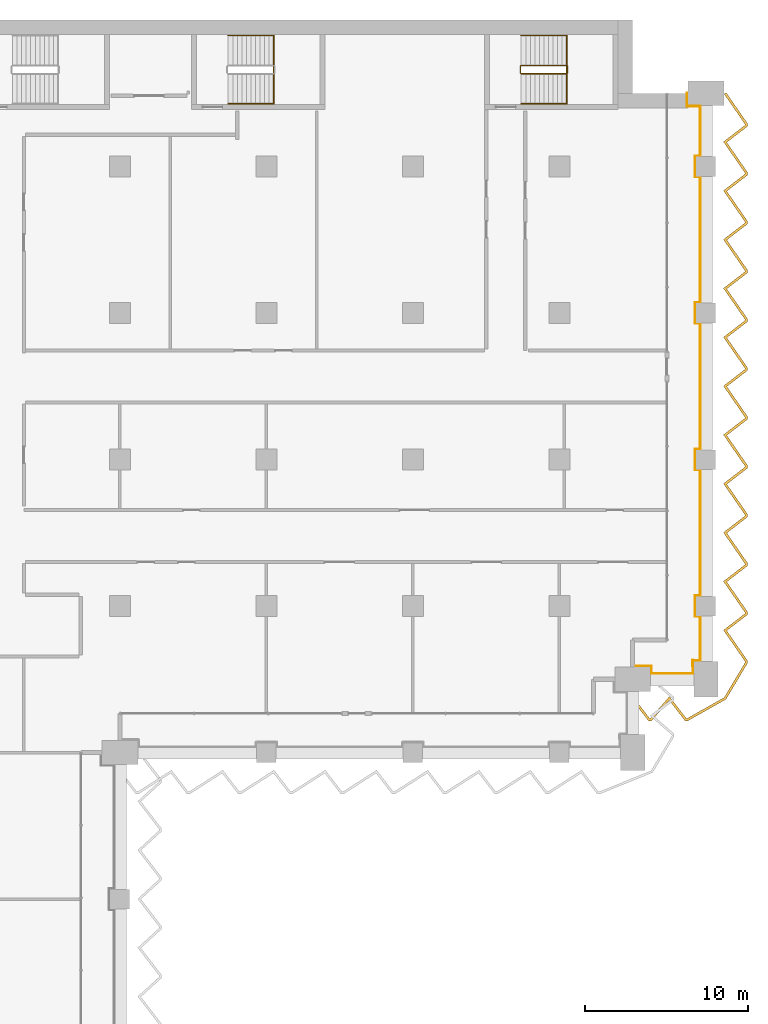
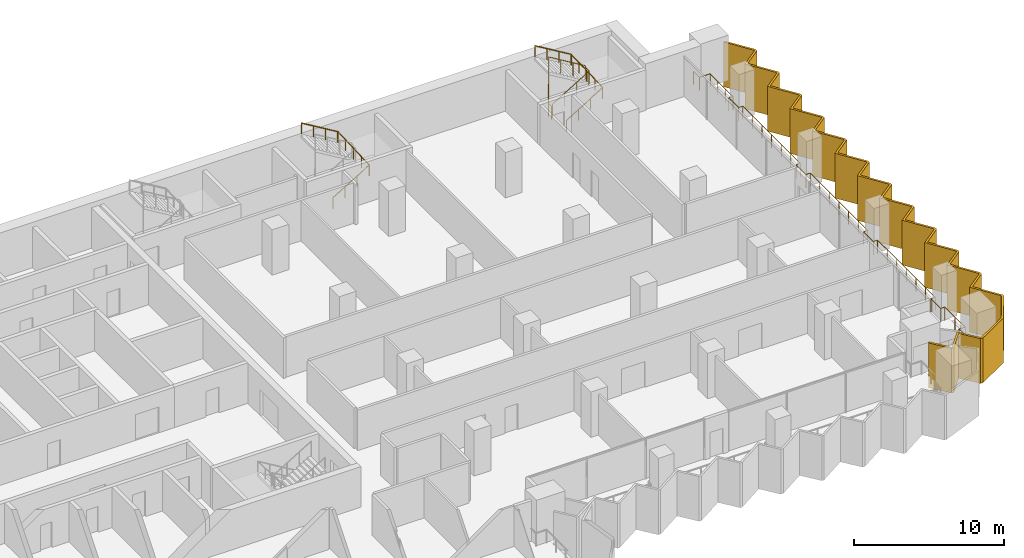
# One storey, part 23 of 23: 4 railings, 1 shading device.
"""IFC4 building model written with IfcOpenShell, lengths in metres."""

from ifc_helpers import new_model, si_unit, direction, frame, origin, origin_2d, place, context, subcontext, project, spatial, polyline, circle, outline, extrude, material, layer, layer_set, type_object, element, save


model = new_model("IFC4")

# Units and contexts
model_context = context("Model", 3, precision=1e-05, world=origin(), true_north=direction((0.0, 1.0)))
body_context = subcontext(model_context, "Body", "Model", "MODEL_VIEW")
ifc_project = project(units=[si_unit("LENGTHUNIT", "METRE"), si_unit("AREAUNIT", "SQUARE_METRE"), si_unit("VOLUMEUNIT", "CUBIC_METRE"), si_unit("PLANEANGLEUNIT", "RADIAN"), si_unit("MASSUNIT", "GRAM", prefix="KILO")], contexts=[model_context])

# Site, building, storey
site_placement = place(None, origin())
site = spatial("IfcSite", under=ifc_project, at=site_placement, CompositionType="ELEMENT")
building_placement = place(site_placement, origin())
building = spatial("IfcBuilding", under=site, at=building_placement, Name="Hunhe Ridgeline Campus", CompositionType="ELEMENT")
storey_placement = place(building_placement, frame((0.0, 0.0, 95.89990234375)))
storey = spatial("IfcBuildingStorey", under=building, at=storey_placement, Name="L23", CompositionType="ELEMENT", Elevation=95.89990234375)

# Railing
ifc_material_1 = material(Name="Steel Q355", Category="steel")
railing_type_1 = type_object("IfcRailingType", Name="Loggia guard 1100 Steel Q355", PredefinedType="GUARDRAIL", material=ifc_material_1)
railing_1_placement = place(storey_placement, frame((76.5, 59.320068359375, 0.0)))
element("IfcRailing", 1, at=railing_1_placement, inside=storey, type_object=railing_type_1, Name="Loggia guard 3", PredefinedType="GUARDRAIL", context=body_context, shape_type="SweptSolid", body=[
    extrude(circle(Radius=0.02392578125, at=origin_2d()), frame((0.0, 0.0, 1.076171875), z_axis=(1.0, 0.0, 0.0), x_axis=(0.0, 1.0, 0.0)), (0.0, 0.0, 1.0), 1.14990234375),
    extrude(circle(Radius=0.02392578125, at=origin_2d()), frame((1.14990234375, 0.0, 1.076171875), z_axis=(0.0, -1.0, 0.0), x_axis=(1.0, 0.0, 0.0)), (0.0, 0.0, 1.0), 0.469970703125),
    extrude(circle(Radius=0.02392578125, at=origin_2d()), frame((1.14990234375, -0.469970703125, 1.076171875), z_axis=(1.0, 0.0, 0.0), x_axis=(0.0, 1.0, 0.0)), (0.0, 0.0, 1.0), 2.550048828125),
    extrude(circle(Radius=0.02392578125, at=origin_2d()), frame((3.699951171875, -0.469970703125, 1.076171875), z_axis=(0.0, 1.0, 0.0), x_axis=(-1.0, 0.0, 0.0)), (0.0, 0.0, 1.0), 0.81982421875),
    extrude(circle(Radius=0.02392578125, at=origin_2d()), frame((3.699951171875, 0.349853515625, 1.076171875), z_axis=(-0.057129153726, -0.99836679622, 0.0), x_axis=(0.99836679622, -0.057129153726, 0.0)), (0.0, 0.0, 1.0), 0.350341796875),
    extrude(circle(Radius=0.02392578125, at=origin_2d()), frame((3.679931640625, 0.0, 1.076171875), z_axis=(0.0, 1.0, 0.0), x_axis=(-1.0, 0.0, 0.0)), (0.0, 0.0, 1.0), 0.329833984375),
    extrude(circle(Radius=0.02392578125, at=origin_2d()), frame((3.679931640625, 0.329833984375, 1.076171875), z_axis=(1.0, 0.0, 0.0), x_axis=(0.0, 1.0, 0.0)), (0.0, 0.0, 1.0), 0.469970703125),
    extrude(circle(Radius=0.02392578125, at=origin_2d()), frame((4.14990234375, 0.329833984375, 1.076171875), z_axis=(0.0, 1.0, 0.0), x_axis=(-1.0, 0.0, 0.0)), (0.0, 0.0, 1.0), 2.7001953125),
    extrude(circle(Radius=0.02392578125, at=origin_2d()), frame((4.14990234375, 3.030029296875, 1.076171875), z_axis=(-1.0, 0.0, 0.0), x_axis=(0.0, -1.0, 0.0)), (0.0, 0.0, 1.0), 0.31982421875),
    extrude(circle(Radius=0.02392578125, at=origin_2d()), frame((3.830078125, 3.030029296875, 1.076171875), z_axis=(0.0, 1.0, 0.0), x_axis=(-1.0, 0.0, 0.0)), (0.0, 0.0, 1.0), 1.2998046875),
    extrude(circle(Radius=0.02392578125, at=origin_2d()), frame((3.830078125, 4.329833984375, 1.076171875), z_axis=(1.0, 0.0, 0.0), x_axis=(0.0, 1.0, 0.0)), (0.0, 0.0, 1.0), 0.31982421875),
    extrude(circle(Radius=0.02392578125, at=origin_2d()), frame((4.14990234375, 4.329833984375, 1.076171875), z_axis=(0.0, 1.0, 0.0), x_axis=(-1.0, 0.0, 0.0)), (0.0, 0.0, 1.0), 7.7001953125),
    extrude(circle(Radius=0.02392578125, at=origin_2d()), frame((4.14990234375, 12.030029296875, 1.076171875), z_axis=(-1.0, 0.0, 0.0), x_axis=(0.0, -1.0, 0.0)), (0.0, 0.0, 1.0), 0.31982421875),
    extrude(circle(Radius=0.02392578125, at=origin_2d()), frame((3.830078125, 12.030029296875, 1.076171875), z_axis=(0.0, 1.0, 0.0), x_axis=(-1.0, 0.0, 0.0)), (0.0, 0.0, 1.0), 1.2998046875),
    extrude(circle(Radius=0.02392578125, at=origin_2d()), frame((3.830078125, 13.329833984375, 1.076171875), z_axis=(1.0, 0.0, 0.0), x_axis=(0.0, 1.0, 0.0)), (0.0, 0.0, 1.0), 0.31982421875),
    extrude(circle(Radius=0.02392578125, at=origin_2d()), frame((4.14990234375, 13.329833984375, 1.076171875), z_axis=(0.0, 1.0, 0.0), x_axis=(-1.0, 0.0, 0.0)), (0.0, 0.0, 1.0), 7.7001953125),
    extrude(circle(Radius=0.02392578125, at=origin_2d()), frame((4.14990234375, 21.030029296875, 1.076171875), z_axis=(-1.0, 0.0, 0.0), x_axis=(0.0, -1.0, 0.0)), (0.0, 0.0, 1.0), 0.31982421875),
    extrude(circle(Radius=0.02392578125, at=origin_2d()), frame((3.830078125, 21.030029296875, 1.076171875), z_axis=(0.0, 1.0, 0.0), x_axis=(-1.0, 0.0, 0.0)), (0.0, 0.0, 1.0), 1.2998046875),
    extrude(circle(Radius=0.02392578125, at=origin_2d()), frame((3.830078125, 22.329833984375, 1.076171875), z_axis=(1.0, 0.0, 0.0), x_axis=(0.0, 1.0, 0.0)), (0.0, 0.0, 1.0), 0.31982421875),
    extrude(circle(Radius=0.02392578125, at=origin_2d()), frame((4.14990234375, 22.329833984375, 1.076171875), z_axis=(0.0, 1.0, 0.0), x_axis=(-1.0, 0.0, 0.0)), (0.0, 0.0, 1.0), 7.7001953125),
    extrude(circle(Radius=0.02392578125, at=origin_2d()), frame((4.14990234375, 30.030029296875, 1.076171875), z_axis=(-1.0, 0.0, 0.0), x_axis=(0.0, -1.0, 0.0)), (0.0, 0.0, 1.0), 0.31982421875),
    extrude(circle(Radius=0.02392578125, at=origin_2d()), frame((3.830078125, 30.030029296875, 1.076171875), z_axis=(0.0, 1.0, 0.0), x_axis=(-1.0, 0.0, 0.0)), (0.0, 0.0, 1.0), 1.2998046875),
    extrude(circle(Radius=0.02392578125, at=origin_2d()), frame((3.830078125, 31.329833984375, 1.076171875), z_axis=(1.0, 0.0, 0.0), x_axis=(0.0, 1.0, 0.0)), (0.0, 0.0, 1.0), 0.31982421875),
    extrude(circle(Radius=0.02392578125, at=origin_2d()), frame((4.14990234375, 31.329833984375, 1.076171875), z_axis=(0.0, 1.0, 0.0), x_axis=(-1.0, 0.0, 0.0)), (0.0, 0.0, 1.0), 3.050048828125),
    extrude(circle(Radius=0.02392578125, at=origin_2d()), frame((4.14990234375, 34.3798828125, 1.076171875), z_axis=(-1.0, 0.0, 0.0), x_axis=(0.0, -1.0, 0.0)), (0.0, 0.0, 1.0), 0.81982421875),
    extrude(circle(Radius=0.02392578125, at=origin_2d()), frame((3.330078125, 34.3798828125, 1.076171875), z_axis=(0.0, 1.0, 0.0), x_axis=(-1.0, 0.0, 0.0)), (0.0, 0.0, 1.0), 0.800048828125),
    extrude(circle(Radius=0.02099609375, at=origin_2d()), origin(), (0.0, 0.0, 1.0), 1.052001953125),
    extrude(circle(Radius=0.02099609375, at=origin_2d()), frame((1.14990234375, 0.0, 0.0)), (0.0, 0.0, 1.0), 1.052001953125),
    extrude(circle(Radius=0.02099609375, at=origin_2d()), frame((1.14990234375, -0.469970703125, 0.0)), (0.0, 0.0, 1.0), 1.052001953125),
    extrude(circle(Radius=0.02099609375, at=origin_2d()), frame((2.4248046875, -0.469970703125, 0.0)), (0.0, 0.0, 1.0), 1.052001953125),
    extrude(circle(Radius=0.02099609375, at=origin_2d()), frame((3.699951171875, -0.469970703125, 0.0)), (0.0, 0.0, 1.0), 1.052001953125),
    extrude(circle(Radius=0.02099609375, at=origin_2d()), frame((3.699951171875, 0.349853515625, 0.0)), (0.0, 0.0, 1.0), 1.052001953125),
    extrude(circle(Radius=0.02099609375, at=origin_2d()), frame((3.679931640625, 0.0, 0.0)), (0.0, 0.0, 1.0), 1.052001953125),
    extrude(circle(Radius=0.02099609375, at=origin_2d()), frame((3.679931640625, 0.329833984375, 0.0)), (0.0, 0.0, 1.0), 1.052001953125),
    extrude(circle(Radius=0.02099609375, at=origin_2d()), frame((4.14990234375, 0.329833984375, 0.0)), (0.0, 0.0, 1.0), 1.052001953125),
    extrude(circle(Radius=0.02099609375, at=origin_2d()), frame((4.14990234375, 1.679931640625, 0.0)), (0.0, 0.0, 1.0), 1.052001953125),
    extrude(circle(Radius=0.02099609375, at=origin_2d()), frame((4.14990234375, 3.030029296875, 0.0)), (0.0, 0.0, 1.0), 1.052001953125),
    extrude(circle(Radius=0.02099609375, at=origin_2d()), frame((3.830078125, 3.030029296875, 0.0)), (0.0, 0.0, 1.0), 1.052001953125),
    extrude(circle(Radius=0.02099609375, at=origin_2d()), frame((3.830078125, 4.329833984375, 0.0)), (0.0, 0.0, 1.0), 1.052001953125),
    extrude(circle(Radius=0.02099609375, at=origin_2d()), frame((4.14990234375, 4.329833984375, 0.0)), (0.0, 0.0, 1.0), 1.052001953125),
    extrude(circle(Radius=0.02099609375, at=origin_2d()), frame((4.14990234375, 5.61328125, 0.0)), (0.0, 0.0, 1.0), 1.052001953125),
    extrude(circle(Radius=0.02099609375, at=origin_2d()), frame((4.14990234375, 6.896484375, 0.0)), (0.0, 0.0, 1.0), 1.052001953125),
    extrude(circle(Radius=0.02099609375, at=origin_2d()), frame((4.14990234375, 8.179931640625, 0.0)), (0.0, 0.0, 1.0), 1.052001953125),
    extrude(circle(Radius=0.02099609375, at=origin_2d()), frame((4.14990234375, 9.46337890625, 0.0)), (0.0, 0.0, 1.0), 1.052001953125),
    extrude(circle(Radius=0.02099609375, at=origin_2d()), frame((4.14990234375, 10.74658203125, 0.0)), (0.0, 0.0, 1.0), 1.052001953125),
    extrude(circle(Radius=0.02099609375, at=origin_2d()), frame((4.14990234375, 12.030029296875, 0.0)), (0.0, 0.0, 1.0), 1.052001953125),
    extrude(circle(Radius=0.02099609375, at=origin_2d()), frame((3.830078125, 12.030029296875, 0.0)), (0.0, 0.0, 1.0), 1.052001953125),
    extrude(circle(Radius=0.02099609375, at=origin_2d()), frame((3.830078125, 13.329833984375, 0.0)), (0.0, 0.0, 1.0), 1.052001953125),
    extrude(circle(Radius=0.02099609375, at=origin_2d()), frame((4.14990234375, 13.329833984375, 0.0)), (0.0, 0.0, 1.0), 1.052001953125),
    extrude(circle(Radius=0.02099609375, at=origin_2d()), frame((4.14990234375, 14.61328125, 0.0)), (0.0, 0.0, 1.0), 1.052001953125),
    extrude(circle(Radius=0.02099609375, at=origin_2d()), frame((4.14990234375, 15.896484375, 0.0)), (0.0, 0.0, 1.0), 1.052001953125),
    extrude(circle(Radius=0.02099609375, at=origin_2d()), frame((4.14990234375, 17.179931640625, 0.0)), (0.0, 0.0, 1.0), 1.052001953125),
    extrude(circle(Radius=0.02099609375, at=origin_2d()), frame((4.14990234375, 18.46337890625, 0.0)), (0.0, 0.0, 1.0), 1.052001953125),
    extrude(circle(Radius=0.02099609375, at=origin_2d()), frame((4.14990234375, 19.74658203125, 0.0)), (0.0, 0.0, 1.0), 1.052001953125),
    extrude(circle(Radius=0.02099609375, at=origin_2d()), frame((4.14990234375, 21.030029296875, 0.0)), (0.0, 0.0, 1.0), 1.052001953125),
    extrude(circle(Radius=0.02099609375, at=origin_2d()), frame((3.830078125, 21.030029296875, 0.0)), (0.0, 0.0, 1.0), 1.052001953125),
    extrude(circle(Radius=0.02099609375, at=origin_2d()), frame((3.830078125, 22.329833984375, 0.0)), (0.0, 0.0, 1.0), 1.052001953125),
    extrude(circle(Radius=0.02099609375, at=origin_2d()), frame((4.14990234375, 22.329833984375, 0.0)), (0.0, 0.0, 1.0), 1.052001953125),
    extrude(circle(Radius=0.02099609375, at=origin_2d()), frame((4.14990234375, 23.61328125, 0.0)), (0.0, 0.0, 1.0), 1.052001953125),
    extrude(circle(Radius=0.02099609375, at=origin_2d()), frame((4.14990234375, 24.896484375, 0.0)), (0.0, 0.0, 1.0), 1.052001953125),
    extrude(circle(Radius=0.02099609375, at=origin_2d()), frame((4.14990234375, 26.179931640625, 0.0)), (0.0, 0.0, 1.0), 1.052001953125),
    extrude(circle(Radius=0.02099609375, at=origin_2d()), frame((4.14990234375, 27.46337890625, 0.0)), (0.0, 0.0, 1.0), 1.052001953125),
    extrude(circle(Radius=0.02099609375, at=origin_2d()), frame((4.14990234375, 28.74658203125, 0.0)), (0.0, 0.0, 1.0), 1.052001953125),
    extrude(circle(Radius=0.02099609375, at=origin_2d()), frame((4.14990234375, 30.030029296875, 0.0)), (0.0, 0.0, 1.0), 1.052001953125),
    extrude(circle(Radius=0.02099609375, at=origin_2d()), frame((3.830078125, 30.030029296875, 0.0)), (0.0, 0.0, 1.0), 1.052001953125),
    extrude(circle(Radius=0.02099609375, at=origin_2d()), frame((3.830078125, 31.329833984375, 0.0)), (0.0, 0.0, 1.0), 1.052001953125),
    extrude(circle(Radius=0.02099609375, at=origin_2d()), frame((4.14990234375, 31.329833984375, 0.0)), (0.0, 0.0, 1.0), 1.052001953125),
    extrude(circle(Radius=0.02099609375, at=origin_2d()), frame((4.14990234375, 32.346435546875, 0.0)), (0.0, 0.0, 1.0), 1.052001953125),
    extrude(circle(Radius=0.02099609375, at=origin_2d()), frame((4.14990234375, 33.36328125, 0.0)), (0.0, 0.0, 1.0), 1.052001953125),
    extrude(circle(Radius=0.02099609375, at=origin_2d()), frame((4.14990234375, 34.3798828125, 0.0)), (0.0, 0.0, 1.0), 1.052001953125),
    extrude(circle(Radius=0.02099609375, at=origin_2d()), frame((3.330078125, 34.3798828125, 0.0)), (0.0, 0.0, 1.0), 1.052001953125),
    extrude(circle(Radius=0.02099609375, at=origin_2d()), frame((3.330078125, 35.179931640625, 0.0)), (0.0, 0.0, 1.0), 1.052001953125),
])

# Shading device
ifc_material_2 = material(Name="Concrete C50", Category="concrete")
ifc_layer = layer(ifc_material_2, 0.14990234375)
ifc_layer_set = layer_set([ifc_layer], Name="Sawtooth concrete fin 150 Concrete C50")
shading_device_type = type_object("IfcShadingDeviceType", Name="Sawtooth concrete fin 150 Concrete C50", PredefinedType="USERDEFINED", material=ifc_layer_set)
shading_device_placement = place(storey_placement, frame((0.0, 0.0, -0.949951171875)))
element("IfcShadingDevice", 2, at=shading_device_placement, inside=storey, type_object=shading_device_type, Name="Concrete fin screen 3", ObjectType="FIN", PredefinedType="USERDEFINED", context=body_context, shape_type="SweptSolid", body=[
    extrude(outline(polyline([(76.559326171875, 57.370849609375), (76.440673828125, 57.279296875), (77.465087890625, 55.949951171875), (77.65625, 55.949951171875), (78.74658203125, 57.20654296875), (79.715087890625, 55.949951171875), (79.891845703125, 55.949951171875), (82.229248046875, 57.26953125), (83.550048828125, 59.4814453125), (83.550048828125, 59.6455078125), (82.27734375, 61.484130859375), (83.550048828125, 62.465087890625), (83.550048828125, 62.6455078125), (82.27734375, 64.484130859375), (83.550048828125, 65.465087890625), (83.550048828125, 65.6455078125), (82.27734375, 67.484130859375), (83.550048828125, 68.465087890625), (83.550048828125, 68.6455078125), (82.27734375, 70.484130859375), (83.550048828125, 71.465087890625), (83.550048828125, 71.6455078125), (82.27734375, 73.484130859375), (83.550048828125, 74.465087890625), (83.550048828125, 74.6455078125), (82.27734375, 76.484130859375), (83.550048828125, 77.465087890625), (83.550048828125, 77.6455078125), (82.27734375, 79.484130859375), (83.550048828125, 80.465087890625), (83.550048828125, 80.6455078125), (82.27734375, 82.484130859375), (83.550048828125, 83.465087890625), (83.550048828125, 83.6455078125), (82.27734375, 85.484130859375), (83.550048828125, 86.465087890625), (83.550048828125, 86.6455078125), (82.27734375, 88.484130859375), (83.550048828125, 89.465087890625), (83.550048828125, 89.6455078125), (82.27734375, 91.484130859375), (83.550048828125, 92.465087890625), (83.550048828125, 92.6455078125), (82.236572265625, 94.542724609375), (82.11328125, 94.457275390625), (83.39990234375, 92.5986328125), (83.39990234375, 92.538818359375), (82.07275390625, 91.515869140625), (83.39990234375, 89.5986328125), (83.39990234375, 89.538818359375), (82.07275390625, 88.515869140625), (83.39990234375, 86.5986328125), (83.39990234375, 86.538818359375), (82.07275390625, 85.515869140625), (83.39990234375, 83.5986328125), (83.39990234375, 83.538818359375), (82.07275390625, 82.515869140625), (83.39990234375, 80.5986328125), (83.39990234375, 80.538818359375), (82.07275390625, 79.515869140625), (83.39990234375, 77.5986328125), (83.39990234375, 77.538818359375), (82.07275390625, 76.515869140625), (83.39990234375, 74.5986328125), (83.39990234375, 74.538818359375), (82.07275390625, 73.515869140625), (83.39990234375, 71.5986328125), (83.39990234375, 71.538818359375), (82.07275390625, 70.515869140625), (83.39990234375, 68.5986328125), (83.39990234375, 68.538818359375), (82.07275390625, 67.515869140625), (83.39990234375, 65.5986328125), (83.39990234375, 65.538818359375), (82.07275390625, 64.515869140625), (83.39990234375, 62.5986328125), (83.39990234375, 62.538818359375), (82.07275390625, 61.515869140625), (83.39990234375, 59.5986328125), (83.39990234375, 59.522705078125), (82.120849609375, 57.380615234375), (79.852294921875, 56.10009765625), (79.788818359375, 56.10009765625), (78.75341796875, 57.443359375), (77.587890625, 56.10009765625), (77.538818359375, 56.10009765625), (76.559326171875, 57.370849609375)])), origin(), (0.0, 0.0, 1.0), 3.650146484375),
])

# Railings
ifc_material_3 = material(Name="Stainless steel balustrade", Category="steel")
railing_type_2 = type_object("IfcRailingType", Name="Stair guard 1100 stainless", PredefinedType="GUARDRAIL", material=ifc_material_3)
railing_2_placement = place(storey_placement, frame((69.64990234375, 95.699951171875, 0.168212890625)))
element("IfcRailing", 3, at=railing_2_placement, inside=storey, type_object=railing_type_2, Name="L23 stair E3 guard", PredefinedType="GUARDRAIL", context=body_context, shape_type="SweptSolid", body=[
    extrude(circle(Radius=0.02392578125, at=origin_2d()), frame((0.0, 0.0, 1.076171875), z_axis=(0.857242210791, 0.0, 0.514913383045), x_axis=(0.0, 1.0, 0.0)), (0.0, 0.0, 1.0), 3.266357421875),
    extrude(circle(Radius=0.02392578125, at=origin_2d()), frame((2.800048828125, 0.0, 2.7578125), z_axis=(0.707106781187, 0.707106781187, 0.0), x_axis=(-0.707106781187, 0.707106781187, 0.0)), (0.0, 0.0, 1.0), 0.07080078125),
    extrude(circle(Radius=0.02392578125, at=origin_2d()), frame((2.85009765625, 0.050048828125, 2.7578125), z_axis=(0.0, 1.0, 0.0), x_axis=(-1.0, 0.0, 0.0)), (0.0, 0.0, 1.0), 0.39990234375),
    extrude(circle(Radius=0.02392578125, at=origin_2d()), frame((2.85009765625, 0.449951171875, 2.7578125), z_axis=(-0.274243871929, 0.274243871929, 0.92172696468), x_axis=(-0.707106781187, -0.707106781187, 0.0)), (0.0, 0.0, 1.0), 0.1826171875),
    extrude(circle(Radius=0.02392578125, at=origin_2d()), frame((2.800048828125, 0.5, 2.92626953125), z_axis=(-0.857242210791, 0.0, 0.514913383045), x_axis=(0.0, -1.0, 0.0)), (0.0, 0.0, 1.0), 3.266357421875),
    extrude(circle(Radius=0.02392578125, at=origin_2d()), frame((0.0, 0.5, 4.60791015625), z_axis=(-0.013457565943, -0.013523534403, -0.999817987404), x_axis=(0.708833529934, -0.705375805398, 0.0)), (0.0, 0.0, 1.0), 3.700927734375),
    extrude(circle(Radius=0.02392578125, at=origin_2d()), frame((-0.0498046875, 0.449951171875, 0.90771484375), z_axis=(0.0, -1.0, 0.0), x_axis=(1.0, 0.0, 0.0)), (0.0, 0.0, 1.0), 0.39990234375),
    extrude(circle(Radius=0.02099609375, at=origin_2d()), origin(), (0.0, 0.0, 1.0), 1.052001953125),
    extrude(circle(Radius=0.02099609375, at=origin_2d()), frame((0.933349609375, 0.0, 0.560546875)), (0.0, 0.0, 1.0), 1.052001953125),
    extrude(circle(Radius=0.02099609375, at=origin_2d()), frame((1.86669921875, 0.0, 1.121337890625)), (0.0, 0.0, 1.0), 1.052001953125),
    extrude(circle(Radius=0.02099609375, at=origin_2d()), frame((2.800048828125, 0.0, 1.681884765625)), (0.0, 0.0, 1.0), 1.052001953125),
    extrude(circle(Radius=0.02099609375, at=origin_2d()), frame((2.85009765625, 0.050048828125, 1.681884765625)), (0.0, 0.0, 1.0), 1.052001953125),
    extrude(circle(Radius=0.02099609375, at=origin_2d()), frame((2.85009765625, 0.449951171875, 1.681884765625)), (0.0, 0.0, 1.0), 1.052001953125),
    extrude(circle(Radius=0.02099609375, at=origin_2d()), frame((2.800048828125, 0.5, 1.85009765625)), (0.0, 0.0, 1.0), 1.052001953125),
    extrude(circle(Radius=0.02099609375, at=origin_2d()), frame((1.86669921875, 0.5, 2.41064453125)), (0.0, 0.0, 1.0), 1.052001953125),
    extrude(circle(Radius=0.02099609375, at=origin_2d()), frame((0.933349609375, 0.5, 2.971435546875)), (0.0, 0.0, 1.0), 1.052001953125),
    extrude(circle(Radius=0.02099609375, at=origin_2d()), frame((0.0, 0.5, 3.531982421875)), (0.0, 0.0, 1.0), 1.052001953125),
    extrude(circle(Radius=0.02099609375, at=origin_2d()), frame((-0.012451171875, 0.487548828125, 2.60693359375)), (0.0, 0.0, 1.0), 1.052001953125),
    extrude(circle(Radius=0.02099609375, at=origin_2d()), frame((-0.02490234375, 0.47509765625, 1.681884765625)), (0.0, 0.0, 1.0), 1.052001953125),
    extrude(circle(Radius=0.02099609375, at=origin_2d()), frame((-0.037353515625, 0.46240234375, 0.7568359375)), (0.0, 0.0, 1.0), 1.052001953125),
    extrude(circle(Radius=0.02099609375, at=origin_2d()), frame((-0.0498046875, 0.449951171875, -0.168212890625)), (0.0, 0.0, 1.0), 1.052001953125),
    extrude(circle(Radius=0.02099609375, at=origin_2d()), frame((-0.0498046875, 0.050048828125, -0.168212890625)), (0.0, 0.0, 1.0), 1.052001953125),
])
ifc_material_4 = material(Name="Stainless steel handrail", Category="steel")
railing_type_3 = type_object("IfcRailingType", Name="Stair handrail 900 stainless", PredefinedType="HANDRAIL", material=ifc_material_4)
railing_3_placement = place(storey_placement, frame((51.64990234375, 93.85009765625, 0.168212890625)))
element("IfcRailing", 4, at=railing_3_placement, inside=storey, type_object=railing_type_3, Name="L23 stair E2 handrail", PredefinedType="HANDRAIL", context=body_context, shape_type="SweptSolid", body=[
    extrude(circle(Radius=0.02392578125, at=origin_2d()), frame((0.0, 0.0, 0.8759765625), z_axis=(0.857242210791, 0.0, 0.514913383045), x_axis=(0.0, 1.0, 0.0)), (0.0, 0.0, 1.0), 3.266357421875),
    extrude(circle(Radius=0.02392578125, at=origin_2d()), frame((2.800048828125, 0.0, 2.5576171875), z_axis=(0.0, 0.999198916169, 0.040019069537), x_axis=(-1.0, 0.0, 0.0)), (0.0, 0.0, 1.0), 4.203369140625),
    extrude(circle(Radius=0.02392578125, at=origin_2d()), frame((2.800048828125, 4.199951171875, 2.72607421875), z_axis=(-0.857242210791, 0.0, 0.514913383045), x_axis=(0.0, -1.0, 0.0)), (0.0, 0.0, 1.0), 3.266357421875),
    extrude(circle(Radius=0.02099609375, at=origin_2d()), origin(), (0.0, 0.0, 1.0), 0.851806640625),
    extrude(circle(Radius=0.02099609375, at=origin_2d()), frame((0.933349609375, 0.0, 0.560546875)), (0.0, 0.0, 1.0), 0.851806640625),
    extrude(circle(Radius=0.02099609375, at=origin_2d()), frame((1.86669921875, 0.0, 1.121337890625)), (0.0, 0.0, 1.0), 0.851806640625),
    extrude(circle(Radius=0.02099609375, at=origin_2d()), frame((2.800048828125, 0.0, 1.681884765625)), (0.0, 0.0, 1.0), 0.851806640625),
    extrude(circle(Radius=0.02099609375, at=origin_2d()), frame((2.800048828125, 1.050048828125, 1.723876953125)), (0.0, 0.0, 1.0), 0.851806640625),
    extrude(circle(Radius=0.02099609375, at=origin_2d()), frame((2.800048828125, 2.10009765625, 1.76611328125)), (0.0, 0.0, 1.0), 0.851806640625),
    extrude(circle(Radius=0.02099609375, at=origin_2d()), frame((2.800048828125, 3.14990234375, 1.80810546875)), (0.0, 0.0, 1.0), 0.851806640625),
    extrude(circle(Radius=0.02099609375, at=origin_2d()), frame((2.800048828125, 4.199951171875, 1.85009765625)), (0.0, 0.0, 1.0), 0.851806640625),
    extrude(circle(Radius=0.02099609375, at=origin_2d()), frame((1.86669921875, 4.199951171875, 2.41064453125)), (0.0, 0.0, 1.0), 0.851806640625),
    extrude(circle(Radius=0.02099609375, at=origin_2d()), frame((0.933349609375, 4.199951171875, 2.971435546875)), (0.0, 0.0, 1.0), 0.851806640625),
    extrude(circle(Radius=0.02099609375, at=origin_2d()), frame((0.0, 4.199951171875, 3.531982421875)), (0.0, 0.0, 1.0), 0.851806640625),
])
railing_4_placement = place(storey_placement, frame((69.64990234375, 93.85009765625, 0.168212890625)))
element("IfcRailing", 5, at=railing_4_placement, inside=storey, type_object=railing_type_3, Name="L23 stair E3 handrail", PredefinedType="HANDRAIL", context=body_context, shape_type="SweptSolid", body=[
    extrude(circle(Radius=0.02392578125, at=origin_2d()), frame((0.0, 0.0, 0.8759765625), z_axis=(0.857242210791, 0.0, 0.514913383045), x_axis=(0.0, 1.0, 0.0)), (0.0, 0.0, 1.0), 3.266357421875),
    extrude(circle(Radius=0.02392578125, at=origin_2d()), frame((2.800048828125, 0.0, 2.5576171875), z_axis=(0.0, 0.999198916169, 0.040019069537), x_axis=(-1.0, 0.0, 0.0)), (0.0, 0.0, 1.0), 4.203369140625),
    extrude(circle(Radius=0.02392578125, at=origin_2d()), frame((2.800048828125, 4.199951171875, 2.72607421875), z_axis=(-0.857242210791, 0.0, 0.514913383045), x_axis=(0.0, -1.0, 0.0)), (0.0, 0.0, 1.0), 3.266357421875),
    extrude(circle(Radius=0.02099609375, at=origin_2d()), origin(), (0.0, 0.0, 1.0), 0.851806640625),
    extrude(circle(Radius=0.02099609375, at=origin_2d()), frame((0.933349609375, 0.0, 0.560546875)), (0.0, 0.0, 1.0), 0.851806640625),
    extrude(circle(Radius=0.02099609375, at=origin_2d()), frame((1.86669921875, 0.0, 1.121337890625)), (0.0, 0.0, 1.0), 0.851806640625),
    extrude(circle(Radius=0.02099609375, at=origin_2d()), frame((2.800048828125, 0.0, 1.681884765625)), (0.0, 0.0, 1.0), 0.851806640625),
    extrude(circle(Radius=0.02099609375, at=origin_2d()), frame((2.800048828125, 1.050048828125, 1.723876953125)), (0.0, 0.0, 1.0), 0.851806640625),
    extrude(circle(Radius=0.02099609375, at=origin_2d()), frame((2.800048828125, 2.10009765625, 1.76611328125)), (0.0, 0.0, 1.0), 0.851806640625),
    extrude(circle(Radius=0.02099609375, at=origin_2d()), frame((2.800048828125, 3.14990234375, 1.80810546875)), (0.0, 0.0, 1.0), 0.851806640625),
    extrude(circle(Radius=0.02099609375, at=origin_2d()), frame((2.800048828125, 4.199951171875, 1.85009765625)), (0.0, 0.0, 1.0), 0.851806640625),
    extrude(circle(Radius=0.02099609375, at=origin_2d()), frame((1.86669921875, 4.199951171875, 2.41064453125)), (0.0, 0.0, 1.0), 0.851806640625),
    extrude(circle(Radius=0.02099609375, at=origin_2d()), frame((0.933349609375, 4.199951171875, 2.971435546875)), (0.0, 0.0, 1.0), 0.851806640625),
    extrude(circle(Radius=0.02099609375, at=origin_2d()), frame((0.0, 4.199951171875, 3.531982421875)), (0.0, 0.0, 1.0), 0.851806640625),
])

save(model, "model.ifc")
